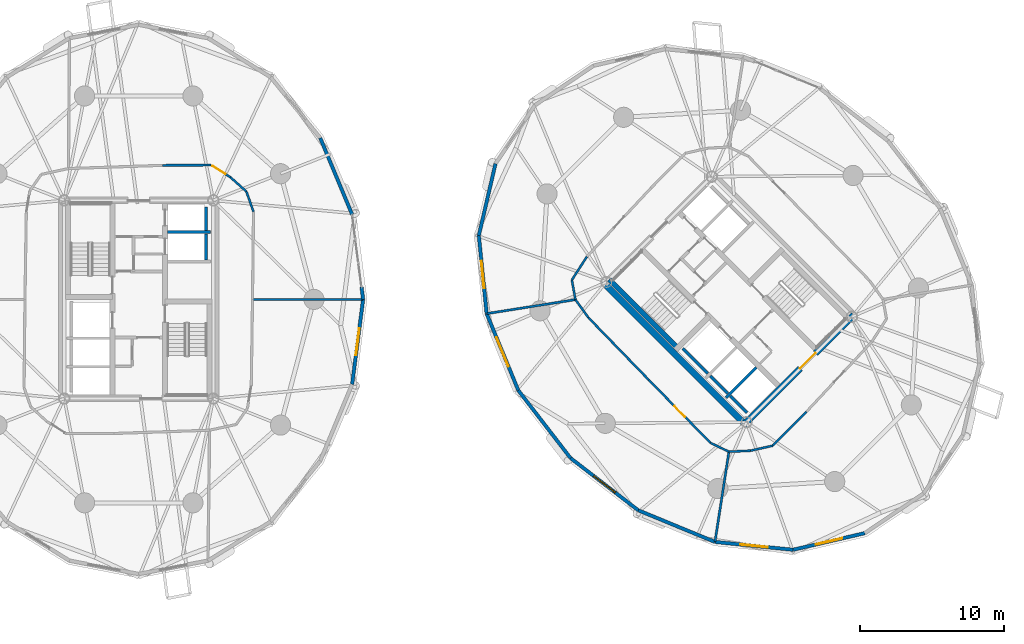
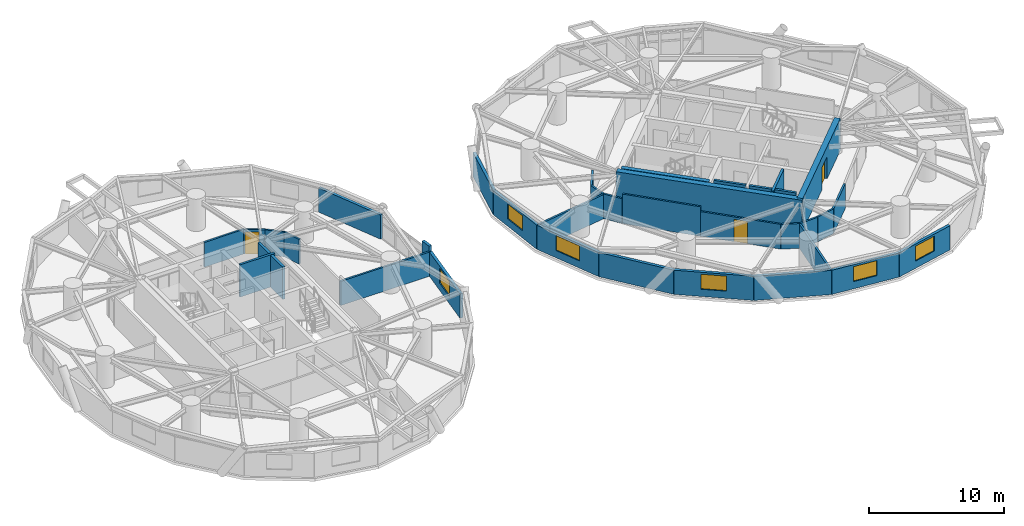
# One storey, part 11 of 16: 37 walls, 6 windows, 3 doors, 9 openings.
"""IFC4 building model written with IfcOpenShell, lengths in metres."""

from ifc_helpers import new_model, si_unit, direction, frame, frame_2d, origin, place, context, subcontext, project, spatial, rectangle, extrude, source, transform, mapped, material, layer, layer_set, type_object, element, fill, save


model = new_model("IFC4")

# Units and contexts
model_context = context("Model", 3, precision=1e-05, world=origin(), true_north=direction((0.0, 1.0)))
body_context = subcontext(model_context, "Body", "Model", "MODEL_VIEW")
ifc_project = project(units=[si_unit("LENGTHUNIT", "METRE"), si_unit("AREAUNIT", "SQUARE_METRE"), si_unit("VOLUMEUNIT", "CUBIC_METRE"), si_unit("PLANEANGLEUNIT", "RADIAN"), si_unit("MASSUNIT", "GRAM", prefix="KILO")], contexts=[model_context])

# Site, building, storey
site_placement = place(None, origin())
site = spatial("IfcSite", under=ifc_project, at=site_placement, CompositionType="ELEMENT")
building_placement = place(site_placement, origin())
building = spatial("IfcBuilding", under=site, at=building_placement, Name="Cununo Teusaquillo Station Towers", CompositionType="ELEMENT")
storey_placement = place(building_placement, frame((0.0, 0.0, 73.06005859375)))
storey = spatial("IfcBuildingStorey", under=building, at=storey_placement, Name="L22", CompositionType="ELEMENT", Elevation=73.06005859375)

# Walls
ifc_material_1 = material(Name="Concrete C50/60", Category="concrete")
ifc_layer_1 = layer(ifc_material_1, 0.199951171875)
ifc_layer_set_1 = layer_set([ifc_layer_1], Name="Concrete C50/60")
wall_type_1 = type_object("IfcWallType", Name="WL-CORE-200", PredefinedType="SHEAR", material=ifc_layer_set_1)
wall_1_placement = place(storey_placement, frame((18.510009765625, 29.175048828125, 0.0), z_axis=(0.0, 0.0, 1.0), x_axis=(1.0, 0.0, 0.0)))
element("IfcWall", 1, at=wall_1_placement, inside=storey, type_object=wall_type_1, Name="L22 Tower A Low-Rise Lift Hoistway Divider Shear Wall", PredefinedType="SHEAR", context=body_context, shape_type="SweptSolid", body=[
    extrude(rectangle(XDim=2.969970703125, YDim=0.199951171875, at=frame_2d((1.48486328125, 0.0))), origin(), (0.0, 0.0, 1.0), 2.909912109375),
])
wall_2_placement = place(storey_placement, frame((21.179931640625, 27.25, 0.0), z_axis=(0.0, 0.0, 1.0), x_axis=(0.0, 1.0, 0.0)))
element("IfcWall", 2, at=wall_2_placement, inside=storey, type_object=wall_type_1, Name="L22 Tower A Low-Rise Lift 1 Shaft Rear Shear Wall", PredefinedType="SHEAR", context=body_context, shape_type="SweptSolid", body=[
    extrude(rectangle(XDim=1.804931640625, YDim=0.199951171875, at=frame_2d((0.90234375, 0.0))), origin(), (0.0, 0.0, 1.0), 2.909912109375),
])
wall_3_placement = place(storey_placement, frame((21.179931640625, 29.294921875, 0.0), z_axis=(0.0, 0.0, 1.0), x_axis=(0.0, 1.0, 0.0)))
element("IfcWall", 3, at=wall_3_placement, inside=storey, type_object=wall_type_1, Name="L22 Tower A Low-Rise Lift 2 Shaft Rear Shear Wall", PredefinedType="SHEAR", context=body_context, shape_type="SweptSolid", body=[
    extrude(rectangle(XDim=1.635009765625, YDim=0.199951171875, at=frame_2d((0.8173828125, 0.0))), origin(), (0.0, 0.0, 1.0), 2.909912109375),
])
wall_4_placement = place(storey_placement, frame((56.01513671875, 19.366455078125, 0.0), z_axis=(0.0, 0.0, 1.0), x_axis=(-0.707106781187, 0.707106781187, 0.0)))
element("IfcWall", 4, at=wall_4_placement, inside=storey, type_object=wall_type_1, Name="L22 Tower B Firefighting Lift Shaft Rear Shear Wall", PredefinedType="SHEAR", context=body_context, shape_type="SweptSolid", body=[
    extrude(rectangle(XDim=2.43994140625, YDim=0.199951171875, at=frame_2d((1.219970703125, 0.0))), origin(), (0.0, 0.0, 1.0), 2.909912109375),
])
wall_5_placement = place(storey_placement, frame((57.2841796875, 17.6728515625, 0.0), z_axis=(0.0, 0.0, 1.0), x_axis=(0.707147878904, 0.70706568108, 0.0)))
element("IfcWall", 5, at=wall_5_placement, inside=storey, type_object=wall_type_1, Name="L22 Tower B High-Rise Lift Hoistway Divider Shear Wall", PredefinedType="SHEAR", context=body_context, shape_type="SweptSolid", body=[
    extrude(rectangle(XDim=2.97021484375, YDim=0.199951171875, at=frame_2d((1.485107421875, 0.0))), origin(), (0.0, 0.0, 1.0), 2.909912109375),
])
wall_6_placement = place(storey_placement, frame((57.41162109375, 17.969970703125, 0.0), z_axis=(0.0, 0.0, 1.0), x_axis=(-0.707106781187, 0.707106781187, 0.0)))
element("IfcWall", 6, at=wall_6_placement, inside=storey, type_object=wall_type_1, Name="L22 Tower B High-Rise Lift 2 Shaft Rear Shear Wall", PredefinedType="SHEAR", context=body_context, shape_type="SweptSolid", body=[
    extrude(rectangle(XDim=1.73486328125, YDim=0.199951171875, at=frame_2d((0.867431640625, 0.0))), origin(), (0.0, 0.0, 1.0), 2.909912109375),
])
wall_7_placement = place(storey_placement, frame((58.7373046875, 16.64404296875, 0.0), z_axis=(0.0, 0.0, 1.0), x_axis=(-0.707032117043, 0.707181437447, 0.0)))
element("IfcWall", 7, at=wall_7_placement, inside=storey, type_object=wall_type_1, Name="L22 Tower B High-Rise Lift 1 Shaft Rear Shear Wall", PredefinedType="SHEAR", context=body_context, shape_type="SweptSolid", body=[
    extrude(rectangle(XDim=1.635009765625, YDim=0.199951171875, at=frame_2d((0.8173828125, 0.0))), origin(), (0.0, 0.0, 1.0), 2.909912109375),
])
ifc_material_2 = material(Name="Concrete C50/60", Category="concrete")
ifc_layer_2 = layer(ifc_material_2, 0.35009765625)
ifc_layer_set_2 = layer_set([ifc_layer_2], Name="Concrete C50/60")
wall_type_2 = type_object("IfcWallType", Name="WL-CORE-350", PredefinedType="SHEAR", material=ifc_layer_set_2)
wall_8_placement = place(storey_placement, frame((53.922119140625, 21.14111328125, 0.0), z_axis=(0.0, 0.0, 1.0), x_axis=(-0.707088616009, 0.707124945897, 0.0)))
element("IfcWall", 8, at=wall_8_placement, inside=storey, type_object=wall_type_2, Name="L22 Tower B Core Shear Wall ST1W", PredefinedType="SHEAR", context=body_context, shape_type="SweptSolid", body=[
    extrude(rectangle(XDim=6.72021484375, YDim=0.35009765625, at=frame_2d((3.360107421875, 0.0))), origin(), (0.0, 0.0, 1.0), 2.909912109375),
])
ifc_material_3 = material(Name="Concrete C60/75", Category="concrete")
ifc_layer_3 = layer(ifc_material_3, 0.449951171875)
ifc_layer_set_3 = layer_set([ifc_layer_3], Name="Concrete C60/75")
wall_type_3 = type_object("IfcWallType", Name="WL-CORE-450", PredefinedType="SHEAR", material=ifc_layer_set_3)
wall_9_placement = place(storey_placement, frame((58.7373046875, 15.696533203125, 0.0), z_axis=(0.0, 0.0, 1.0), x_axis=(-0.707106781187, 0.707106781187, 0.0)))
element("IfcWall", 9, at=wall_9_placement, inside=storey, type_object=wall_type_3, Name="L22 Tower B Core Shear Wall W", PredefinedType="SHEAR", context=body_context, shape_type="SweptSolid", body=[
    extrude(rectangle(XDim=14.19970703125, YDim=0.449951171875, at=frame_2d((7.099853515625, 0.0))), origin(), (0.0, 0.0, 1.0), 2.909912109375),
])

# Wall, opening, door
wall_10_placement = place(storey_placement, frame((58.578369140625, 15.855712890625, 0.0), z_axis=(0.0, 0.0, 1.0), x_axis=(0.707106781187, 0.707106781187, 0.0)))
wall_10 = element("IfcWall", 10, at=wall_10_placement, inside=storey, type_object=wall_type_3, Name="L22 Tower B Core Shear Wall S", PredefinedType="SHEAR", context=body_context, shape_type="SweptSolid", body=[
    extrude(rectangle(XDim=10.69970703125, YDim=0.449951171875, at=frame_2d((5.349853515625, 0.0))), origin(), (0.0, 0.0, 1.0), 2.909912109375),
])
shared_shape_1 = source(origin(), body_context, "Body", "SweptSolid", [
    extrude(rectangle(XDim=1.5, YDim=2.02001953125, at=frame_2d((0.75, 1.010009765625))), frame((0.0, 0.23486328125, 0.0), z_axis=(0.0, -1.0, 0.0), x_axis=(1.0, 0.0, 0.0)), (0.0, 0.0, 1.0), 0.469970703125),
])
opening_1_placement = place(wall_10_placement, frame((5.449951171875, 0.0, 0.0)))
opening_1 = element("IfcOpeningElement", 11, at=opening_1_placement, cuts=wall_10, Name="Opening D-LB1", PredefinedType="OPENING", context=body_context, shape_type="MappedRepresentation", body=[
    mapped(shared_shape_1, transform((0.0, 0.0, 0.0), x_axis=(1.0, 0.0, 0.0), y_axis=(0.0, 1.0, 0.0), z_axis=(0.0, 0.0, 1.0), scale=1.0)),
])
ifc_material_4 = material(Name="Galvanised fire-rated hollow steel door assembly", Category="steel")
door_type_1 = type_object("IfcDoorType", Name="DR-LOBBY-1500", OperationType="DOUBLE_DOOR_SINGLE_SWING", PredefinedType="DOOR", material=ifc_material_4)
shared_shape_2 = source(origin(), body_context, "Body", "SweptSolid", [
    extrude(rectangle(XDim=1.5, YDim=2.02001953125, at=frame_2d((0.75, 1.010009765625))), frame((0.0, 0.02490234375, 0.0), z_axis=(0.0, -1.0, 0.0), x_axis=(1.0, 0.0, 0.0)), (0.0, 0.0, 1.0), 0.050048828125),
])
door_1_placement = place(opening_1_placement, origin())
door_1 = element("IfcDoor", 12, at=door_1_placement, inside=storey, type_object=door_type_1, Name="L22 Tower B South Core Lift Lobby Door", OperationType="DOUBLE_DOOR_SINGLE_SWING", OverallHeight=2.02001953125, OverallWidth=1.5, PredefinedType="DOOR", context=body_context, shape_type="MappedRepresentation", body=[
    mapped(shared_shape_2, transform((0.0, 0.0, 0.0), x_axis=(1.0, 0.0, 0.0), y_axis=(0.0, 1.0, 0.0), z_axis=(0.0, 0.0, 1.0), scale=1.0)),
])
fill(opening_1, door_1)

# Walls
ifc_material_5 = material(Name="Precast concrete C40/50", Category="concrete")
ifc_layer_4 = layer(ifc_material_5, 0.239990234375)
ifc_layer_set_4 = layer_set([ifc_layer_4], Name="Precast concrete C40/50")
wall_type_4 = type_object("IfcWallType", Name="WL-EXT-240", PredefinedType="SOLIDWALL", material=ifc_layer_set_4)
wall_11_placement = place(storey_placement, frame((31.96923828125, 25.36279296875, 0.0), z_axis=(0.0, 0.0, 1.0), x_axis=(0.128523364007, -0.991706481225, 0.0)))
element("IfcWall", 13, at=wall_11_placement, inside=storey, type_object=wall_type_4, Name="L22 Tower A Column Pier Cladding Wall C00-PB", PredefinedType="SOLIDWALL", context=body_context, shape_type="SweptSolid", body=[
    extrude(rectangle(XDim=0.8701171875, YDim=0.239990234375, at=frame_2d((0.43505859375, 0.0))), origin(), (0.0, 0.0, 1.0), 2.655029296875),
])
wall_12_placement = place(storey_placement, frame((29.105224609375, 35.708984375, 0.0), z_axis=(0.0, 0.0, 1.0), x_axis=(0.384344417632, -0.923189779317, 0.0)))
element("IfcWall", 14, at=wall_12_placement, inside=storey, type_object=wall_type_4, Name="L22 Tower A Exterior Facade Wall C01", PredefinedType="SOLIDWALL", context=body_context, shape_type="SweptSolid", body=[
    extrude(rectangle(XDim=5.75830078125, YDim=0.239990234375, at=frame_2d((2.879150390625, 0.0))), origin(), (0.0, 0.0, 1.0), 2.178955078125),
])

# Wall, opening, window
wall_13_placement = place(storey_placement, frame((32.0810546875, 24.5, 0.0), z_axis=(0.0, 0.0, 1.0), x_axis=(-0.128351991996, -0.991728675672, 0.0)))
wall_13 = element("IfcWall", 15, at=wall_13_placement, inside=storey, type_object=wall_type_4, Name="L22 Tower A Exterior Facade Wall C19", PredefinedType="SOLIDWALL", context=body_context, shape_type="SweptSolid", body=[
    extrude(rectangle(XDim=5.942138671875, YDim=0.239990234375, at=frame_2d((2.97119140625, 0.0))), origin(), (0.0, 0.0, 1.0), 2.178955078125),
])
shared_shape_3 = source(origin(), body_context, "Body", "SweptSolid", [
    extrude(rectangle(XDim=1.89990234375, YDim=1.35009765625, at=frame_2d((0.949951171875, 0.675048828125))), frame((0.0, 0.1298828125, 0.0), z_axis=(0.0, -1.0, 0.0), x_axis=(1.0, 0.0, 0.0)), (0.0, 0.0, 1.0), 0.260009765625),
])
opening_2_placement = place(wall_13_placement, frame((2.02099609375, 0.0, 0.64990234375)))
opening_2 = element("IfcOpeningElement", 16, at=opening_2_placement, cuts=wall_13, Name="Opening WN-02", PredefinedType="OPENING", context=body_context, shape_type="MappedRepresentation", body=[
    mapped(shared_shape_3, transform((0.0, 0.0, 0.0), x_axis=(1.0, 0.0, 0.0), y_axis=(0.0, 1.0, 0.0), z_axis=(0.0, 0.0, 1.0), scale=1.0)),
])
ifc_material_6 = material(Name="Operable acoustic tinted low-E double glazing", Category="glass")
window_type_1 = type_object("IfcWindowType", Name="WIN-OPER-1900", PartitioningType="DOUBLE_PANEL_VERTICAL", PredefinedType="WINDOW", material=ifc_material_6)
shared_shape_4 = source(origin(), body_context, "Body", "SweptSolid", [
    extrude(rectangle(XDim=1.89990234375, YDim=1.35009765625, at=frame_2d((0.949951171875, 0.675048828125))), frame((0.0, 0.030029296875, 0.0), z_axis=(0.0, -1.0, 0.0), x_axis=(1.0, 0.0, 0.0)), (0.0, 0.0, 1.0), 0.06005859375),
])
window_1_placement = place(opening_2_placement, origin())
window_1 = element("IfcWindow", 17, at=window_1_placement, inside=storey, type_object=window_type_1, Name="L22 Tower A Facade Window C19", OverallHeight=1.35009765625, OverallWidth=1.89990234375, PartitioningType="DOUBLE_PANEL_VERTICAL", PredefinedType="WINDOW", context=body_context, shape_type="MappedRepresentation", body=[
    mapped(shared_shape_4, transform((0.0, 0.0, 0.0), x_axis=(1.0, 0.0, 0.0), y_axis=(0.0, 1.0, 0.0), z_axis=(0.0, 0.0, 1.0), scale=1.0)),
])
fill(opening_2, window_1)

# Wall
wall_14_placement = place(storey_placement, frame((40.114990234375, 28.933349609375, 0.0), z_axis=(0.0, 0.0, 1.0), x_axis=(0.225834725257, 0.974165631126, 0.0)))
element("IfcWall", 18, at=wall_14_placement, inside=storey, type_object=wall_type_4, Name="L22 Tower B Exterior Facade Wall C06", PredefinedType="SOLIDWALL", context=body_context, shape_type="SweptSolid", body=[
    extrude(rectangle(XDim=5.118896484375, YDim=0.239990234375, at=frame_2d((2.5595703125, 0.0))), origin(), (0.0, 0.0, 1.0), 2.178955078125),
])

# Wall, opening, window
wall_15_placement = place(storey_placement, frame((40.66064453125, 23.5126953125, 0.0), z_axis=(0.0, 0.0, 1.0), x_axis=(-0.10015591906, 0.994971754311, 0.0)))
wall_15 = element("IfcWall", 19, at=wall_15_placement, inside=storey, type_object=wall_type_4, Name="L22 Tower B Exterior Facade Wall C07", PredefinedType="SOLIDWALL", context=body_context, shape_type="SweptSolid", body=[
    extrude(rectangle(XDim=5.447998046875, YDim=0.239990234375, at=frame_2d((2.72412109375, 0.0))), origin(), (0.0, 0.0, 1.0), 2.178955078125),
])
opening_3_placement = place(wall_15_placement, frame((1.77392578125, 0.0, 0.64990234375)))
opening_3 = element("IfcOpeningElement", 20, at=opening_3_placement, cuts=wall_15, Name="Opening WN-02", PredefinedType="OPENING", context=body_context, shape_type="MappedRepresentation", body=[
    mapped(shared_shape_3, transform((0.0, 0.0, 0.0), x_axis=(1.0, 0.0, 0.0), y_axis=(0.0, 1.0, 0.0), z_axis=(0.0, 0.0, 1.0), scale=1.0)),
])
window_2_placement = place(opening_3_placement, origin())
window_2 = element("IfcWindow", 21, at=window_2_placement, inside=storey, type_object=window_type_1, Name="L22 Tower B Facade Window C07", OverallHeight=1.35009765625, OverallWidth=1.89990234375, PartitioningType="DOUBLE_PANEL_VERTICAL", PredefinedType="WINDOW", context=body_context, shape_type="MappedRepresentation", body=[
    mapped(shared_shape_4, transform((0.0, 0.0, 0.0), x_axis=(1.0, 0.0, 0.0), y_axis=(0.0, 1.0, 0.0), z_axis=(0.0, 0.0, 1.0), scale=1.0)),
])
fill(opening_3, window_2)

wall_16_placement = place(storey_placement, frame((42.854736328125, 18.188720703125, 0.0), z_axis=(0.0, 0.0, 1.0), x_axis=(-0.381027003055, 0.924563909604, 0.0)))
wall_16 = element("IfcWall", 22, at=wall_16_placement, inside=storey, type_object=wall_type_4, Name="L22 Tower B Exterior Facade Wall C08", PredefinedType="SOLIDWALL", context=body_context, shape_type="SweptSolid", body=[
    extrude(rectangle(XDim=5.75830078125, YDim=0.239990234375, at=frame_2d((2.879150390625, 0.0))), origin(), (0.0, 0.0, 1.0), 2.178955078125),
])
shared_shape_5 = source(origin(), body_context, "Body", "SweptSolid", [
    extrude(rectangle(XDim=2.199951171875, YDim=1.35009765625, at=frame_2d((1.10009765625, 0.675048828125))), frame((0.0, 0.1298828125, 0.0), z_axis=(0.0, -1.0, 0.0), x_axis=(1.0, 0.0, 0.0)), (0.0, 0.0, 1.0), 0.260009765625),
])
opening_4_placement = place(wall_16_placement, frame((1.779052734375, 0.0, 0.64990234375)))
opening_4 = element("IfcOpeningElement", 23, at=opening_4_placement, cuts=wall_16, Name="Opening WN-01", PredefinedType="OPENING", context=body_context, shape_type="MappedRepresentation", body=[
    mapped(shared_shape_5, transform((0.0, 0.0, 0.0), x_axis=(1.0, 0.0, 0.0), y_axis=(0.0, 1.0, 0.0), z_axis=(0.0, 0.0, 1.0), scale=1.0)),
])
ifc_material_7 = material(Name="Ceramic-fritted dark low-E double glazing", Category="glass")
window_type_2 = type_object("IfcWindowType", Name="WIN-FRIT-2200", PartitioningType="DOUBLE_PANEL_VERTICAL", PredefinedType="WINDOW", material=ifc_material_7)
shared_shape_6 = source(origin(), body_context, "Body", "SweptSolid", [
    extrude(rectangle(XDim=2.199951171875, YDim=1.35009765625, at=frame_2d((1.10009765625, 0.675048828125))), frame((0.0, 0.030029296875, 0.0), z_axis=(0.0, -1.0, 0.0), x_axis=(1.0, 0.0, 0.0)), (0.0, 0.0, 1.0), 0.06005859375),
])
window_3_placement = place(opening_4_placement, origin())
window_3 = element("IfcWindow", 24, at=window_3_placement, inside=storey, type_object=window_type_2, Name="L22 Tower B Facade Window C08", OverallHeight=1.35009765625, OverallWidth=2.199951171875, PartitioningType="DOUBLE_PANEL_VERTICAL", PredefinedType="WINDOW", context=body_context, shape_type="MappedRepresentation", body=[
    mapped(shared_shape_6, transform((0.0, 0.0, 0.0), x_axis=(1.0, 0.0, 0.0), y_axis=(0.0, 1.0, 0.0), z_axis=(0.0, 0.0, 1.0), scale=1.0)),
])
fill(opening_4, window_3)

# Wall
wall_17_placement = place(storey_placement, frame((46.482666015625, 13.482666015625, 0.0), z_axis=(0.0, 0.0, 1.0), x_axis=(-0.61054437102, 0.791982052206, 0.0)))
element("IfcWall", 25, at=wall_17_placement, inside=storey, type_object=wall_type_4, Name="L22 Tower B Exterior Facade Wall C09", PredefinedType="SOLIDWALL", context=body_context, shape_type="SweptSolid", body=[
    extrude(rectangle(XDim=5.942138671875, YDim=0.239990234375, at=frame_2d((2.97119140625, 0.0))), origin(), (0.0, 0.0, 1.0), 2.178955078125),
])

# Wall, opening, window
wall_18_placement = place(storey_placement, frame((51.188720703125, 9.854736328125, 0.0), z_axis=(0.0, 0.0, 1.0), x_axis=(-0.791982052206, 0.61054437102, 0.0)))
wall_18 = element("IfcWall", 26, at=wall_18_placement, inside=storey, type_object=wall_type_4, Name="L22 Tower B Exterior Facade Wall C10", PredefinedType="SOLIDWALL", context=body_context, shape_type="SweptSolid", body=[
    extrude(rectangle(XDim=5.942138671875, YDim=0.239990234375, at=frame_2d((2.97119140625, 0.0))), origin(), (0.0, 0.0, 1.0), 2.178955078125),
])
opening_5_placement = place(wall_18_placement, frame((2.02099609375, 0.0, 0.64990234375)))
opening_5 = element("IfcOpeningElement", 27, at=opening_5_placement, cuts=wall_18, Name="Opening WN-02", PredefinedType="OPENING", context=body_context, shape_type="MappedRepresentation", body=[
    mapped(shared_shape_3, transform((0.0, 0.0, 0.0), x_axis=(1.0, 0.0, 0.0), y_axis=(0.0, 1.0, 0.0), z_axis=(0.0, 0.0, 1.0), scale=1.0)),
])
window_4_placement = place(opening_5_placement, origin())
window_4 = element("IfcWindow", 28, at=window_4_placement, inside=storey, type_object=window_type_1, Name="L22 Tower B Facade Window C10", OverallHeight=1.35009765625, OverallWidth=1.89990234375, PartitioningType="DOUBLE_PANEL_VERTICAL", PredefinedType="WINDOW", context=body_context, shape_type="MappedRepresentation", body=[
    mapped(shared_shape_4, transform((0.0, 0.0, 0.0), x_axis=(1.0, 0.0, 0.0), y_axis=(0.0, 1.0, 0.0), z_axis=(0.0, 0.0, 1.0), scale=1.0)),
])
fill(opening_5, window_4)

# Wall
wall_19_placement = place(storey_placement, frame((56.5126953125, 7.66064453125, 0.0), z_axis=(0.0, 0.0, 1.0), x_axis=(-0.924563909604, 0.381027003055, 0.0)))
element("IfcWall", 29, at=wall_19_placement, inside=storey, type_object=wall_type_4, Name="L22 Tower B Exterior Facade Wall C11", PredefinedType="SOLIDWALL", context=body_context, shape_type="SweptSolid", body=[
    extrude(rectangle(XDim=5.75830078125, YDim=0.239990234375, at=frame_2d((2.879150390625, 0.0))), origin(), (0.0, 0.0, 1.0), 2.178955078125),
])

# Wall, opening, window
wall_20_placement = place(storey_placement, frame((61.933349609375, 7.114990234375, 0.0), z_axis=(0.0, 0.0, 1.0), x_axis=(-0.994971754311, 0.10015591906, 0.0)))
wall_20 = element("IfcWall", 30, at=wall_20_placement, inside=storey, type_object=wall_type_4, Name="L22 Tower B Exterior Facade Wall C12", PredefinedType="SOLIDWALL", context=body_context, shape_type="SweptSolid", body=[
    extrude(rectangle(XDim=5.447998046875, YDim=0.239990234375, at=frame_2d((2.72412109375, 0.0))), origin(), (0.0, 0.0, 1.0), 2.178955078125),
])
opening_6_placement = place(wall_20_placement, frame((1.77392578125, 0.0, 0.64990234375)))
opening_6 = element("IfcOpeningElement", 31, at=opening_6_placement, cuts=wall_20, Name="Opening WN-02", PredefinedType="OPENING", context=body_context, shape_type="MappedRepresentation", body=[
    mapped(shared_shape_3, transform((0.0, 0.0, 0.0), x_axis=(1.0, 0.0, 0.0), y_axis=(0.0, 1.0, 0.0), z_axis=(0.0, 0.0, 1.0), scale=1.0)),
])
window_5_placement = place(opening_6_placement, origin())
window_5 = element("IfcWindow", 32, at=window_5_placement, inside=storey, type_object=window_type_1, Name="L22 Tower B Facade Window C12", OverallHeight=1.35009765625, OverallWidth=1.89990234375, PartitioningType="DOUBLE_PANEL_VERTICAL", PredefinedType="WINDOW", context=body_context, shape_type="MappedRepresentation", body=[
    mapped(shared_shape_4, transform((0.0, 0.0, 0.0), x_axis=(1.0, 0.0, 0.0), y_axis=(0.0, 1.0, 0.0), z_axis=(0.0, 0.0, 1.0), scale=1.0)),
])
fill(opening_6, window_5)

wall_21_placement = place(storey_placement, frame((66.919921875, 8.27099609375, 0.0), z_axis=(0.0, 0.0, 1.0), x_axis=(-0.974165631126, -0.225834725257, 0.0)))
wall_21 = element("IfcWall", 33, at=wall_21_placement, inside=storey, type_object=wall_type_4, Name="L22 Tower B Exterior Facade Wall C13", PredefinedType="SOLIDWALL", context=body_context, shape_type="SweptSolid", body=[
    extrude(rectangle(XDim=5.118896484375, YDim=0.239990234375, at=frame_2d((2.5595703125, 0.0))), origin(), (0.0, 0.0, 1.0), 2.178955078125),
])
opening_7_placement = place(wall_21_placement, frame((1.60888671875, 0.0, 0.64990234375)))
opening_7 = element("IfcOpeningElement", 34, at=opening_7_placement, cuts=wall_21, Name="Opening WN-02", PredefinedType="OPENING", context=body_context, shape_type="MappedRepresentation", body=[
    mapped(shared_shape_3, transform((0.0, 0.0, 0.0), x_axis=(1.0, 0.0, 0.0), y_axis=(0.0, 1.0, 0.0), z_axis=(0.0, 0.0, 1.0), scale=1.0)),
])
window_6_placement = place(opening_7_placement, origin())
window_6 = element("IfcWindow", 35, at=window_6_placement, inside=storey, type_object=window_type_1, Name="L22 Tower B Facade Window C13", OverallHeight=1.35009765625, OverallWidth=1.89990234375, PartitioningType="DOUBLE_PANEL_VERTICAL", PredefinedType="WINDOW", context=body_context, shape_type="MappedRepresentation", body=[
    mapped(shared_shape_4, transform((0.0, 0.0, 0.0), x_axis=(1.0, 0.0, 0.0), y_axis=(0.0, 1.0, 0.0), z_axis=(0.0, 0.0, 1.0), scale=1.0)),
])
fill(opening_7, window_6)

# Walls
ifc_material_8 = material(Name="Fire-rated gypsum plasterboard partition assembly", Category="gypsum")
ifc_layer_5 = layer(ifc_material_8, 0.14990234375)
ifc_layer_set_5 = layer_set([ifc_layer_5], Name="Fire-rated gypsum plasterboard partition assembly")
wall_type_5 = type_object("IfcWallType", Name="WL-PART-150", PredefinedType="PARTITIONING", material=ifc_layer_set_5)
wall_22_placement = place(storey_placement, frame((24.468994140625, 30.581787109375, 0.0), z_axis=(0.0, 0.0, 1.0), x_axis=(-0.328902536986, 0.944363871166, 0.0)))
element("IfcWall", 36, at=wall_22_placement, inside=storey, type_object=wall_type_5, Name="L22 Tower A Corridor Ring Wall C01", PredefinedType="PARTITIONING", context=body_context, shape_type="SweptSolid", body=[
    extrude(rectangle(XDim=1.487548828125, YDim=0.14990234375, at=frame_2d((0.74365234375, 0.0))), origin(), (0.0, 0.0, 1.0), 2.224853515625),
])
wall_23_placement = place(storey_placement, frame((23.979736328125, 31.986572265625, 0.0), z_axis=(0.0, 0.0, 1.0), x_axis=(-0.744317922268, 0.667825449193, 0.0)))
element("IfcWall", 37, at=wall_23_placement, inside=storey, type_object=wall_type_5, Name="L22 Tower A Corridor Ring Wall C02", PredefinedType="PARTITIONING", context=body_context, shape_type="SweptSolid", body=[
    extrude(rectangle(XDim=1.48095703125, YDim=0.14990234375, at=frame_2d((0.740478515625, 0.0))), origin(), (0.0, 0.0, 1.0), 2.224853515625),
])

# Wall, opening, door
wall_24_placement = place(storey_placement, frame((22.87744140625, 32.9755859375, 0.0), z_axis=(0.0, 0.0, 1.0), x_axis=(-0.846723232687, 0.532033614754, 0.0)))
wall_24 = element("IfcWall", 38, at=wall_24_placement, inside=storey, type_object=wall_type_5, Name="L22 Tower A Corridor Ring Wall C03", PredefinedType="PARTITIONING", context=body_context, shape_type="SweptSolid", body=[
    extrude(rectangle(XDim=1.594970703125, YDim=0.14990234375, at=frame_2d((0.79736328125, 0.0))), origin(), (0.0, 0.0, 1.0), 2.224853515625),
])
shared_shape_7 = source(origin(), body_context, "Body", "SweptSolid", [
    extrude(rectangle(XDim=1.050048828125, YDim=2.014892578125, at=frame_2d((0.52490234375, 1.00732421875))), frame((0.0, 0.0849609375, 0.0), z_axis=(0.0, -1.0, 0.0), x_axis=(1.0, 0.0, 0.0)), (0.0, 0.0, 1.0), 0.169921875),
])
opening_8_placement = place(wall_24_placement, frame((0.425048828125, 0.0, 0.0)))
opening_8 = element("IfcOpeningElement", 39, at=opening_8_placement, cuts=wall_24, Name="Opening D-SU1", PredefinedType="OPENING", context=body_context, shape_type="MappedRepresentation", body=[
    mapped(shared_shape_7, transform((0.0, 0.0, 0.0), x_axis=(1.0, 0.0, 0.0), y_axis=(0.0, 1.0, 0.0), z_axis=(0.0, 0.0, 1.0), scale=1.0)),
])
ifc_material_9 = material(Name="Acoustic solid-core hardwood leaf assembly", Category="wood")
door_type_2 = type_object("IfcDoorType", Name="DR-SUITE-1050", OperationType="NOTDEFINED", PredefinedType="DOOR", material=ifc_material_9)
shared_shape_8 = source(origin(), body_context, "Body", "SweptSolid", [
    extrude(rectangle(XDim=1.050048828125, YDim=2.014892578125, at=frame_2d((0.52490234375, 1.00732421875))), frame((0.0, 0.02490234375, 0.0), z_axis=(0.0, -1.0, 0.0), x_axis=(1.0, 0.0, 0.0)), (0.0, 0.0, 1.0), 0.050048828125),
])
door_2_placement = place(opening_8_placement, origin())
door_2 = element("IfcDoor", 40, at=door_2_placement, inside=storey, type_object=door_type_2, Name="L22 Tower A North Open-Plan Corporate Landscape Office Entrance Door", OperationType="SINGLE_SWING_RIGHT", OverallHeight=2.014892578125, OverallWidth=1.050048828125, PredefinedType="DOOR", context=body_context, shape_type="MappedRepresentation", body=[
    mapped(shared_shape_8, transform((0.0, 0.0, 0.0), x_axis=(1.0, 0.0, 0.0), y_axis=(0.0, 1.0, 0.0), z_axis=(0.0, 0.0, 1.0), scale=1.0)),
])
fill(opening_8, door_2)

# Walls
wall_25_placement = place(storey_placement, frame((21.52685546875, 33.82421875, 0.0), z_axis=(0.0, 0.0, 1.0), x_axis=(-0.999990631344, -0.00432865146, 0.0)))
element("IfcWall", 41, at=wall_25_placement, inside=storey, type_object=wall_type_5, Name="L22 Tower A Corridor Ring Wall C04", PredefinedType="PARTITIONING", context=body_context, shape_type="SweptSolid", body=[
    extrude(rectangle(XDim=3.384033203125, YDim=0.14990234375, at=frame_2d((1.69189453125, 0.0))), origin(), (0.0, 0.0, 1.0), 2.224853515625),
])
wall_26_placement = place(storey_placement, frame((47.623046875, 27.475341796875, 0.0), z_axis=(0.0, 0.0, 1.0), x_axis=(-0.54158041545, -0.840648947898, 0.0)))
element("IfcWall", 42, at=wall_26_placement, inside=storey, type_object=wall_type_5, Name="L22 Tower B Corridor Ring Wall C06", PredefinedType="PARTITIONING", context=body_context, shape_type="SweptSolid", body=[
    extrude(rectangle(XDim=1.933837890625, YDim=0.14990234375, at=frame_2d((0.966796875, 0.0))), origin(), (0.0, 0.0, 1.0), 2.224853515625),
])
wall_27_placement = place(storey_placement, frame((46.57568359375, 25.849609375, 0.0), z_axis=(0.0, 0.0, 1.0), x_axis=(0.178962865041, -0.983855829345, 0.0)))
element("IfcWall", 43, at=wall_27_placement, inside=storey, type_object=wall_type_5, Name="L22 Tower B Corridor Ring Wall C07", PredefinedType="PARTITIONING", context=body_context, shape_type="SweptSolid", body=[
    extrude(rectangle(XDim=1.387451171875, YDim=0.14990234375, at=frame_2d((0.69384765625, 0.0))), origin(), (0.0, 0.0, 1.0), 2.224853515625),
])
wall_28_placement = place(storey_placement, frame((46.823974609375, 24.484619140625, 0.0), z_axis=(0.0, 0.0, 1.0), x_axis=(0.584890953925, -0.811111935565, 0.0)))
element("IfcWall", 44, at=wall_28_placement, inside=storey, type_object=wall_type_5, Name="L22 Tower B Corridor Ring Wall C08", PredefinedType="PARTITIONING", context=body_context, shape_type="SweptSolid", body=[
    extrude(rectangle(XDim=1.546630859375, YDim=0.14990234375, at=frame_2d((0.7734375, 0.0))), origin(), (0.0, 0.0, 1.0), 2.224853515625),
])
wall_29_placement = place(storey_placement, frame((47.728515625, 23.230224609375, 0.0), z_axis=(0.0, 0.0, 1.0), x_axis=(0.696119834292, -0.717925606386, 0.0)))
element("IfcWall", 45, at=wall_29_placement, inside=storey, type_object=wall_type_5, Name="L22 Tower B Corridor Ring Wall C09", PredefinedType="PARTITIONING", context=body_context, shape_type="SweptSolid", body=[
    extrude(rectangle(XDim=6.012451171875, YDim=0.14990234375, at=frame_2d((3.00634765625, 0.0))), origin(), (0.0, 0.0, 1.0), 2.655029296875),
])

# Wall, opening, door
wall_30_placement = place(storey_placement, frame((51.913818359375, 18.913818359375, 0.0), z_axis=(0.0, 0.0, 1.0), x_axis=(0.6999614951, -0.71418058317, 0.0)))
wall_30 = element("IfcWall", 46, at=wall_30_placement, inside=storey, type_object=wall_type_5, Name="L22 Tower B Corridor Ring Wall C10", PredefinedType="PARTITIONING", context=body_context, shape_type="SweptSolid", body=[
    extrude(rectangle(XDim=6.129638671875, YDim=0.14990234375, at=frame_2d((3.06494140625, 0.0))), origin(), (0.0, 0.0, 1.0), 2.224853515625),
])
opening_9_placement = place(wall_30_placement, frame((2.539794921875, 0.0, 0.0)))
opening_9 = element("IfcOpeningElement", 47, at=opening_9_placement, cuts=wall_30, Name="Opening D-SU1", PredefinedType="OPENING", context=body_context, shape_type="MappedRepresentation", body=[
    mapped(shared_shape_7, transform((0.0, 0.0, 0.0), x_axis=(1.0, 0.0, 0.0), y_axis=(0.0, 1.0, 0.0), z_axis=(0.0, 0.0, 1.0), scale=1.0)),
])
door_3_placement = place(opening_9_placement, origin())
door_3 = element("IfcDoor", 48, at=door_3_placement, inside=storey, type_object=door_type_2, Name="L22 Tower B South Client Reception & Boardroom Lounge Entrance Door", OperationType="SINGLE_SWING_RIGHT", OverallHeight=2.014892578125, OverallWidth=1.050048828125, PredefinedType="DOOR", context=body_context, shape_type="MappedRepresentation", body=[
    mapped(shared_shape_8, transform((0.0, 0.0, 0.0), x_axis=(1.0, 0.0, 0.0), y_axis=(0.0, 1.0, 0.0), z_axis=(0.0, 0.0, 1.0), scale=1.0)),
])
fill(opening_9, door_3)

# Walls
wall_31_placement = place(storey_placement, frame((56.204345703125, 14.5361328125, 0.0), z_axis=(0.0, 0.0, 1.0), x_axis=(0.902244982981, -0.431223828986, 0.0)))
element("IfcWall", 49, at=wall_31_placement, inside=storey, type_object=wall_type_5, Name="L22 Tower B Corridor Ring Wall C11", PredefinedType="PARTITIONING", context=body_context, shape_type="SweptSolid", body=[
    extrude(rectangle(XDim=1.4169921875, YDim=0.14990234375, at=frame_2d((0.70849609375, 0.0))), origin(), (0.0, 0.0, 1.0), 2.224853515625),
])
wall_32_placement = place(storey_placement, frame((57.48291015625, 13.925048828125, 0.0), z_axis=(0.0, 0.0, 1.0), x_axis=(0.998884345706, 0.047223552414, 0.0)))
element("IfcWall", 50, at=wall_32_placement, inside=storey, type_object=wall_type_5, Name="L22 Tower B Corridor Ring Wall C12", PredefinedType="PARTITIONING", context=body_context, shape_type="SweptSolid", body=[
    extrude(rectangle(XDim=1.494140625, YDim=0.14990234375, at=frame_2d((0.7470703125, 0.0))), origin(), (0.0, 0.0, 1.0), 2.224853515625),
])
wall_33_placement = place(storey_placement, frame((58.975341796875, 13.99560546875, 0.0), z_axis=(0.0, 0.0, 1.0), x_axis=(0.975700857392, 0.219106907431, 0.0)))
element("IfcWall", 51, at=wall_33_placement, inside=storey, type_object=wall_type_5, Name="L22 Tower B Corridor Ring Wall C13", PredefinedType="PARTITIONING", context=body_context, shape_type="SweptSolid", body=[
    extrude(rectangle(XDim=1.591064453125, YDim=0.14990234375, at=frame_2d((0.79541015625, 0.0))), origin(), (0.0, 0.0, 1.0), 2.224853515625),
])
wall_34_placement = place(storey_placement, frame((60.52783203125, 14.34423828125, 0.0), z_axis=(0.0, 0.0, 1.0), x_axis=(0.704381645997, 0.709821454158, 0.0)))
element("IfcWall", 52, at=wall_34_placement, inside=storey, type_object=wall_type_5, Name="L22 Tower B Corridor Ring Wall C14", PredefinedType="PARTITIONING", context=body_context, shape_type="SweptSolid", body=[
    extrude(rectangle(XDim=3.321044921875, YDim=0.14990234375, at=frame_2d((1.66064453125, 0.0))), origin(), (0.0, 0.0, 1.0), 2.224853515625),
])
ifc_material_10 = material(Name="Fire-rated gypsum plasterboard partition assembly", Category="gypsum")
ifc_layer_6 = layer(ifc_material_10, 0.159912109375)
ifc_layer_set_6 = layer_set([ifc_layer_6], Name="Fire-rated gypsum plasterboard partition assembly")
wall_type_6 = type_object("IfcWallType", Name="WL-PART-160", PredefinedType="PARTITIONING", material=ifc_layer_set_6)
wall_35_placement = place(storey_placement, frame((24.39990234375, 24.5, 0.0), z_axis=(0.0, 0.0, 1.0), x_axis=(1.0, 0.0, 0.0)))
element("IfcWall", 53, at=wall_35_placement, inside=storey, type_object=wall_type_6, Name="L22 Tower A Radial Suite Partition R01", PredefinedType="PARTITIONING", context=body_context, shape_type="SweptSolid", body=[
    extrude(rectangle(XDim=7.6611328125, YDim=0.159912109375, at=frame_2d((3.83056640625, 0.0))), origin(), (0.0, 0.0, 1.0), 2.178955078125),
])
wall_36_placement = place(storey_placement, frame((46.823974609375, 24.484619140625, 0.0), z_axis=(0.0, 0.0, 1.0), x_axis=(-0.987794772558, -0.155760994179, 0.0)))
element("IfcWall", 54, at=wall_36_placement, inside=storey, type_object=wall_type_6, Name="L22 Tower B Radial Suite Partition R02", PredefinedType="PARTITIONING", context=body_context, shape_type="SweptSolid", body=[
    extrude(rectangle(XDim=6.219482421875, YDim=0.159912109375, at=frame_2d((3.10986328125, 0.0))), origin(), (0.0, 0.0, 1.0), 2.178955078125),
])
wall_37_placement = place(storey_placement, frame((57.48291015625, 13.925048828125, 0.0), z_axis=(0.0, 0.0, 1.0), x_axis=(-0.153035505395, -0.988220690984, 0.0)))
element("IfcWall", 55, at=wall_37_placement, inside=storey, type_object=wall_type_6, Name="L22 Tower B Radial Suite Partition R03", PredefinedType="PARTITIONING", context=body_context, shape_type="SweptSolid", body=[
    extrude(rectangle(XDim=6.319091796875, YDim=0.159912109375, at=frame_2d((3.15966796875, 0.0))), origin(), (0.0, 0.0, 1.0), 2.178955078125),
])

save(model, "model.ifc")
